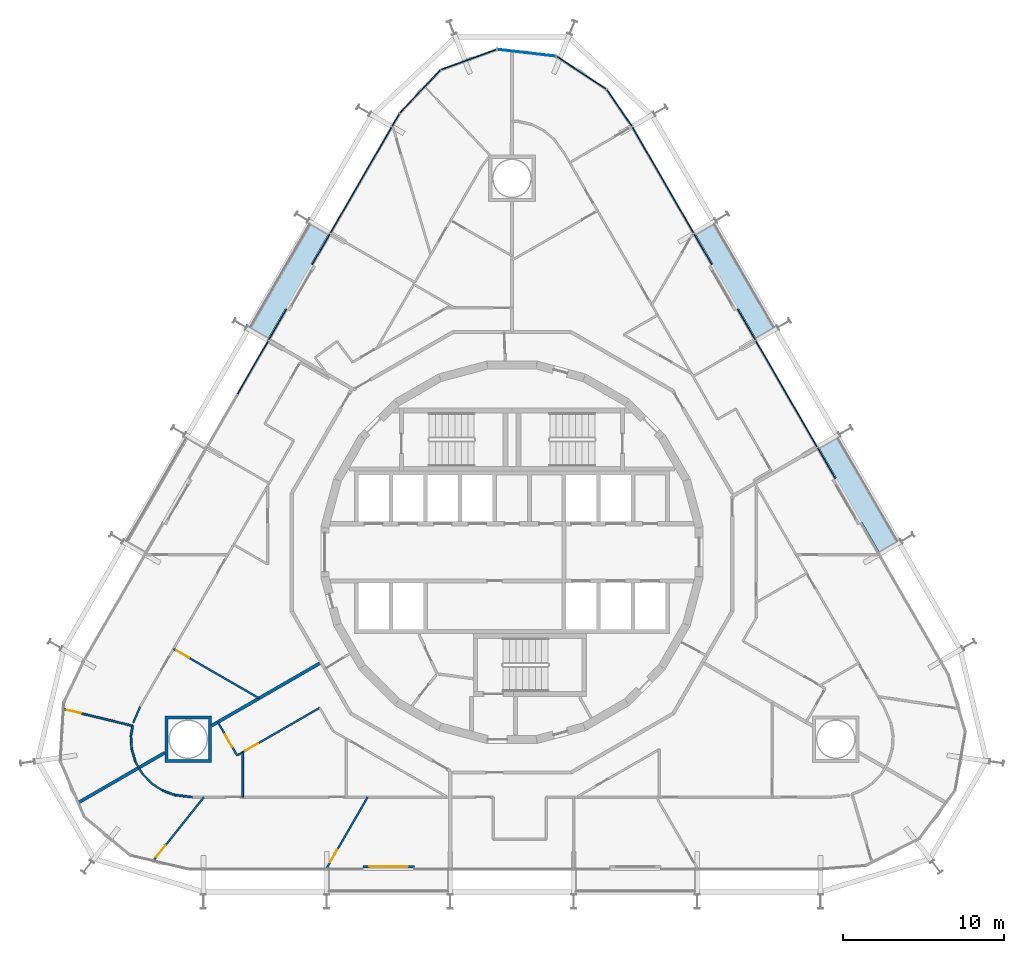
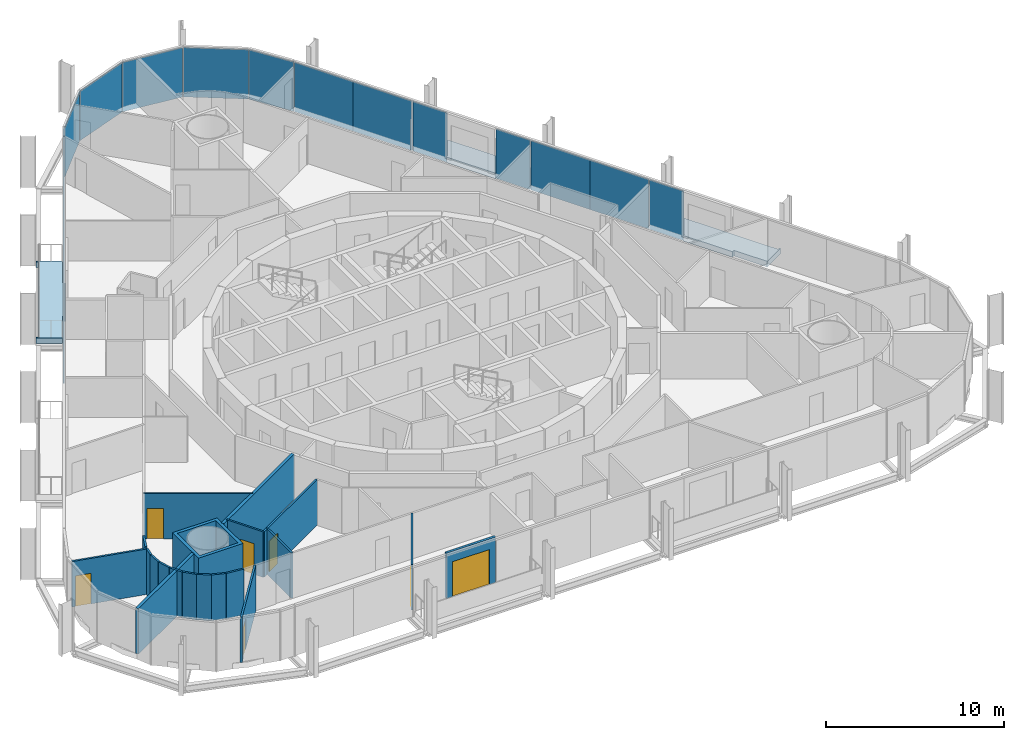
# One storey, part 12 of 19: 20 walls, 18 plates, 7 doors, 3 slabs, 7 openings, 3 elements without a shape of their own.
"""IFC4 building model written with IfcOpenShell, lengths in metres."""

from ifc_helpers import new_model, si_unit, direction, frame, frame_2d, origin, origin_2d, place, context, subcontext, project, spatial, polyline, rectangle, outline, extrude, material, layer, layer_set, type_object, element, fill, aggregate, save


model = new_model("IFC4")

# Units and contexts
model_context = context("Model", 3, precision=1e-05, world=origin(), true_north=direction((0.0, 1.0)))
body_context = subcontext(model_context, "Body", "Model", "MODEL_VIEW")
ifc_project = project(units=[si_unit("LENGTHUNIT", "METRE"), si_unit("AREAUNIT", "SQUARE_METRE"), si_unit("VOLUMEUNIT", "CUBIC_METRE"), si_unit("PLANEANGLEUNIT", "RADIAN"), si_unit("MASSUNIT", "GRAM", prefix="KILO")], contexts=[model_context])

# Site, building, storey
site_placement = place(None, origin())
site = spatial("IfcSite", under=ifc_project, at=site_placement, CompositionType="ELEMENT")
building_placement = place(site_placement, origin())
building = spatial("IfcBuilding", under=site, at=building_placement, Name="Spindle Arch Residences", CompositionType="ELEMENT")
storey_placement = place(building_placement, frame((0.0, 0.0, 45.39990234375)))
storey = spatial("IfcBuildingStorey", under=building, at=storey_placement, Name="L09", CompositionType="ELEMENT", Elevation=45.39990234375)

# Slabs
ifc_material_1 = material(Name="Concrete C40/50", Category="concrete")
ifc_layer_1 = layer(ifc_material_1, 0.3798828125)
ifc_layer_set_1 = layer_set([ifc_layer_1], Name="Balcony slab 380")
slab_type = type_object("IfcSlabType", Name="Balcony slab 380", PredefinedType="FLOOR", material=ifc_layer_set_1)
slab_1_placement = place(storey_placement, frame((0.0, 0.0, -0.3798828125)))
element("IfcSlab", 1, at=slab_1_placement, inside=storey, type_object=slab_type, Name="Balcony L09 bay 7", PredefinedType="FLOOR", context=body_context, shape_type="SweptSolid", body=[
    extrude(outline(polyline([(24.151611328125, 0.728271484375), (24.114013671875, 0.793212890625), (23.984130859375, 0.71826171875), (20.2939453125, 7.109375), (20.424072265625, 7.1845703125), (20.386474609375, 7.24951171875), (19.09619140625, 6.50439453125), (20.1787109375, 4.62939453125), (20.0400390625, 4.549560546875), (21.64013671875, 1.778076171875), (21.778564453125, 1.858154296875), (22.861083984375, -0.016845703125), (24.151611328125, 0.728271484375)])), origin(), (0.0, 0.0, 1.0), 0.3798828125),
])
slab_2_placement = place(storey_placement, frame((0.0, 0.0, -0.3798828125)))
element("IfcSlab", 2, at=slab_2_placement, inside=storey, type_object=slab_type, Name="Balcony L09 bay 9", PredefinedType="FLOOR", context=body_context, shape_type="SweptSolid", body=[
    extrude(outline(polyline([(16.471435546875, 14.030517578125), (16.433837890625, 14.095458984375), (16.303955078125, 14.0205078125), (12.614013671875, 20.411865234375), (12.743896484375, 20.48681640625), (12.706298828125, 20.5517578125), (11.416015625, 19.806640625), (12.49853515625, 17.931640625), (12.35986328125, 17.851806640625), (13.9599609375, 15.08056640625), (14.0986328125, 15.160400390625), (15.18115234375, 13.285400390625), (16.471435546875, 14.030517578125)])), origin(), (0.0, 0.0, 1.0), 0.3798828125),
])
slab_3_placement = place(storey_placement, frame((0.0, 0.0, -0.3798828125)))
element("IfcSlab", 3, at=slab_3_placement, inside=storey, type_object=slab_type, Name="Balcony L09 bay 15", PredefinedType="FLOOR", context=body_context, shape_type="SweptSolid", body=[
    extrude(outline(polyline([(-12.706298828125, 20.5517578125), (-12.743896484375, 20.48681640625), (-12.614013671875, 20.411865234375), (-16.303955078125, 14.0205078125), (-16.433837890625, 14.095458984375), (-16.471435546875, 14.030517578125), (-15.18115234375, 13.285400390625), (-14.0986328125, 15.160400390625), (-13.9599609375, 15.08056640625), (-12.35986328125, 17.851806640625), (-12.49853515625, 17.931640625), (-11.416015625, 19.806640625), (-12.706298828125, 20.5517578125)])), origin(), (0.0, 0.0, 1.0), 0.3798828125),
])

# Curtain wall, plates
ifc_material_2 = material(Name="Aluminium bronze unitised frame with tinted glass", Category="aluminium")
ifc_layer_2 = layer(ifc_material_2, 0.159912109375)
ifc_layer_set_2 = layer_set([ifc_layer_2], Name="CW-C typical residential unitised wall")
curtain_wall_type_1 = type_object("IfcCurtainWallType", Name="CW-C typical residential unitised wall", PredefinedType="NOTDEFINED", material=ifc_layer_set_2)
curtain_wall_1_placement = place(storey_placement, origin())
curtain_wall_1 = element("IfcCurtainWall", 4, at=curtain_wall_1_placement, inside=storey, type_object=curtain_wall_type_1, Name="CW-C L09 run 2", PredefinedType="NOTDEFINED")
ifc_material_3 = material(Name="Tinted double glazing over aluminium faced non-combustible spandrel zone (K0)", Category="aluminium")
ifc_layer_3 = layer(ifc_material_3, 0.06005859375)
ifc_layer_set_3 = layer_set([ifc_layer_3], Name="Unitised glass panel with E 60 spandrel zone")
plate_type = type_object("IfcPlateType", Name="Unitised glass panel with E 60 spandrel zone", PredefinedType="CURTAIN_PANEL", material=ifc_layer_set_3)
plate_1_placement = place(storey_placement, frame((19.556884765625, 5.54638671875, -0.3798828125), z_axis=(0.0, 0.0, 1.0), x_axis=(-0.5, 0.866025403784, 0.0)))
plate_1 = element("IfcPlate", 5, at=plate_1_placement, type_object=plate_type, Name="CW-C unit 06R", PredefinedType="CURTAIN_PANEL", context=body_context, shape_type="SweptSolid", body=[
    extrude(rectangle(XDim=2.2099609375, YDim=0.06005859375, at=origin_2d()), origin(), (0.0, 0.0, 1.0), 3.3798828125),
])
plate_2_placement = place(storey_placement, frame((18.021728515625, 8.205078125, -0.3798828125), z_axis=(0.0, 0.0, 1.0), x_axis=(-0.5, 0.866025403784, 0.0)))
plate_2 = element("IfcPlate", 6, at=plate_2_placement, type_object=plate_type, Name="CW-C unit 07A", PredefinedType="CURTAIN_PANEL", context=body_context, shape_type="SweptSolid", body=[
    extrude(rectangle(XDim=3.81005859375, YDim=0.06005859375, at=origin_2d()), origin(), (0.0, 0.0, 1.0), 3.3798828125),
])
plate_3_placement = place(storey_placement, frame((16.11669921875, 11.504638671875, -0.3798828125), z_axis=(0.0, 0.0, 1.0), x_axis=(-0.5, 0.866025403784, 0.0)))
plate_3 = element("IfcPlate", 7, at=plate_3_placement, type_object=plate_type, Name="CW-C unit 07B", PredefinedType="CURTAIN_PANEL", context=body_context, shape_type="SweptSolid", body=[
    extrude(rectangle(XDim=3.81005859375, YDim=0.06005859375, at=origin_2d()), origin(), (0.0, 0.0, 1.0), 3.3798828125),
])
plate_4_placement = place(storey_placement, frame((14.581787109375, 14.16357421875, -0.3798828125), z_axis=(0.0, 0.0, 1.0), x_axis=(-0.5, 0.866025403784, 0.0)))
plate_4 = element("IfcPlate", 8, at=plate_4_placement, type_object=plate_type, Name="CW-C unit 08L", PredefinedType="CURTAIN_PANEL", context=body_context, shape_type="SweptSolid", body=[
    extrude(rectangle(XDim=2.2099609375, YDim=0.06005859375, at=origin_2d()), origin(), (0.0, 0.0, 1.0), 3.3798828125),
])
plate_5_placement = place(storey_placement, frame((11.876708984375, 18.8486328125, -0.3798828125), z_axis=(0.0, 0.0, 1.0), x_axis=(-0.5, 0.866025403784, 0.0)))
plate_5 = element("IfcPlate", 9, at=plate_5_placement, type_object=plate_type, Name="CW-C unit 08R", PredefinedType="CURTAIN_PANEL", context=body_context, shape_type="SweptSolid", body=[
    extrude(rectangle(XDim=2.2099609375, YDim=0.06005859375, at=origin_2d()), origin(), (0.0, 0.0, 1.0), 3.3798828125),
])
plate_6_placement = place(storey_placement, frame((10.341796875, 21.50732421875, -0.3798828125), z_axis=(0.0, 0.0, 1.0), x_axis=(-0.5, 0.866025403784, 0.0)))
plate_6 = element("IfcPlate", 10, at=plate_6_placement, type_object=plate_type, Name="CW-C unit 09A", PredefinedType="CURTAIN_PANEL", context=body_context, shape_type="SweptSolid", body=[
    extrude(rectangle(XDim=3.81005859375, YDim=0.06005859375, at=origin_2d()), origin(), (0.0, 0.0, 1.0), 3.3798828125),
])
plate_7_placement = place(storey_placement, frame((8.436767578125, 24.80712890625, -0.3798828125), z_axis=(0.0, 0.0, 1.0), x_axis=(-0.5, 0.866025403784, 0.0)))
plate_7 = element("IfcPlate", 11, at=plate_7_placement, type_object=plate_type, Name="CW-C unit 09B", PredefinedType="CURTAIN_PANEL", context=body_context, shape_type="SweptSolid", body=[
    extrude(rectangle(XDim=3.81005859375, YDim=0.06005859375, at=origin_2d()), origin(), (0.0, 0.0, 1.0), 3.3798828125),
])
aggregate(curtain_wall_1, [plate_1, plate_2, plate_3, plate_4, plate_5, plate_6, plate_7])

ifc_material_4 = material(Name="Aluminium bronze unitised frame with tinted glass", Category="aluminium")
ifc_layer_4 = layer(ifc_material_4, 0.159912109375)
ifc_layer_set_4 = layer_set([ifc_layer_4], Name="CW-D corner wall on the fillet arcs")
curtain_wall_type_2 = type_object("IfcCurtainWallType", Name="CW-D corner wall on the fillet arcs", PredefinedType="NOTDEFINED", material=ifc_layer_set_4)
curtain_wall_2_placement = place(storey_placement, origin())
curtain_wall_2 = element("IfcCurtainWall", 12, at=curtain_wall_2_placement, inside=storey, type_object=curtain_wall_type_2, Name="CW-D L09 run 3", PredefinedType="NOTDEFINED")
plate_8_placement = place(storey_placement, frame((6.673095703125, 27.643798828125, -0.3798828125), z_axis=(0.0, 0.0, 1.0), x_axis=(-0.565500718711, 0.824747802142, 0.0)))
plate_8 = element("IfcPlate", 13, at=plate_8_placement, type_object=plate_type, Name="CW-D unit 00", PredefinedType="CURTAIN_PANEL", context=body_context, shape_type="SweptSolid", body=[
    extrude(rectangle(XDim=2.755126953125, YDim=0.06005859375, at=origin_2d()), origin(), (0.0, 0.0, 1.0), 3.3798828125),
])
plate_9_placement = place(storey_placement, frame((4.3203125, 29.82861328125, -0.3798828125), z_axis=(0.0, 0.0, 1.0), x_axis=(-0.835487811704, 0.549508977628, 0.0)))
plate_9 = element("IfcPlate", 14, at=plate_9_placement, type_object=plate_type, Name="CW-D unit 01", PredefinedType="CURTAIN_PANEL", context=body_context, shape_type="SweptSolid", body=[
    extrude(rectangle(XDim=3.666748046875, YDim=0.06005859375, at=origin_2d()), origin(), (0.0, 0.0, 1.0), 3.3798828125),
])
plate_10_placement = place(storey_placement, frame((0.912841796875, 31.06884765625, -0.3798828125), z_axis=(0.0, 0.0, 1.0), x_axis=(-0.993238357591, 0.116092915414, 0.0)))
plate_10 = element("IfcPlate", 15, at=plate_10_placement, type_object=plate_type, Name="CW-D unit 02", PredefinedType="CURTAIN_PANEL", context=body_context, shape_type="SweptSolid", body=[
    extrude(rectangle(XDim=3.666748046875, YDim=0.06005859375, at=origin_2d()), origin(), (0.0, 0.0, 1.0), 3.3798828125),
])
plate_11_placement = place(storey_placement, frame((-2.68896484375, 30.64794921875, -0.3798828125), z_axis=(0.0, 0.0, 1.0), x_axis=(-0.939692621437, -0.342020141538, 0.0)))
plate_11 = element("IfcPlate", 16, at=plate_11_placement, type_object=plate_type, Name="CW-D unit 03", PredefinedType="CURTAIN_PANEL", context=body_context, shape_type="SweptSolid", body=[
    extrude(rectangle(XDim=3.666748046875, YDim=0.06005859375, at=origin_2d()), origin(), (0.0, 0.0, 1.0), 3.3798828125),
])
plate_12_placement = place(storey_placement, frame((-5.71875, 28.6552734375, -0.3798828125), z_axis=(0.0, 0.0, 1.0), x_axis=(-0.686241639236, -0.727373640284, 0.0)))
plate_12 = element("IfcPlate", 17, at=plate_12_placement, type_object=plate_type, Name="CW-D unit 04", PredefinedType="CURTAIN_PANEL", context=body_context, shape_type="SweptSolid", body=[
    extrude(rectangle(XDim=3.666748046875, YDim=0.06005859375, at=origin_2d()), origin(), (0.0, 0.0, 1.0), 3.3798828125),
])
plate_13_placement = place(storey_placement, frame((-7.2333984375, 26.891357421875, -0.3798828125), z_axis=(0.0, 0.0, 1.0), x_axis=(-0.5, -0.866025403784, 0.0)))
plate_13 = element("IfcPlate", 18, at=plate_13_placement, type_object=plate_type, Name="CW-D unit 05", PredefinedType="CURTAIN_PANEL", context=body_context, shape_type="SweptSolid", body=[
    extrude(rectangle(XDim=0.88330078125, YDim=0.06005859375, at=origin_2d()), origin(), (0.0, 0.0, 1.0), 3.3798828125),
])
aggregate(curtain_wall_2, [plate_8, plate_9, plate_10, plate_11, plate_12, plate_13])

curtain_wall_3_placement = place(storey_placement, origin())
curtain_wall_3 = element("IfcCurtainWall", 19, at=curtain_wall_3_placement, inside=storey, type_object=curtain_wall_type_1, Name="CW-C L09 run 4", PredefinedType="NOTDEFINED")
plate_14_placement = place(storey_placement, frame((-8.436767578125, 24.80712890625, -0.3798828125), z_axis=(0.0, 0.0, 1.0), x_axis=(-0.5, -0.866025403784, 0.0)))
plate_14 = element("IfcPlate", 20, at=plate_14_placement, type_object=plate_type, Name="CW-C unit 13A", PredefinedType="CURTAIN_PANEL", context=body_context, shape_type="SweptSolid", body=[
    extrude(rectangle(XDim=3.81005859375, YDim=0.06005859375, at=origin_2d()), origin(), (0.0, 0.0, 1.0), 3.3798828125),
])
plate_15_placement = place(storey_placement, frame((-10.341796875, 21.50732421875, -0.3798828125), z_axis=(0.0, 0.0, 1.0), x_axis=(-0.5, -0.866025403784, 0.0)))
plate_15 = element("IfcPlate", 21, at=plate_15_placement, type_object=plate_type, Name="CW-C unit 13B", PredefinedType="CURTAIN_PANEL", context=body_context, shape_type="SweptSolid", body=[
    extrude(rectangle(XDim=3.81005859375, YDim=0.06005859375, at=origin_2d()), origin(), (0.0, 0.0, 1.0), 3.3798828125),
])
plate_16_placement = place(storey_placement, frame((-11.876708984375, 18.8486328125, -0.3798828125), z_axis=(0.0, 0.0, 1.0), x_axis=(-0.5, -0.866025403784, 0.0)))
plate_16 = element("IfcPlate", 22, at=plate_16_placement, type_object=plate_type, Name="CW-C unit 14L", PredefinedType="CURTAIN_PANEL", context=body_context, shape_type="SweptSolid", body=[
    extrude(rectangle(XDim=2.2099609375, YDim=0.06005859375, at=origin_2d()), origin(), (0.0, 0.0, 1.0), 3.3798828125),
])
plate_17_placement = place(storey_placement, frame((-14.581787109375, 14.16357421875, -0.3798828125), z_axis=(0.0, 0.0, 1.0), x_axis=(-0.5, -0.866025403784, 0.0)))
plate_17 = element("IfcPlate", 23, at=plate_17_placement, type_object=plate_type, Name="CW-C unit 14R", PredefinedType="CURTAIN_PANEL", context=body_context, shape_type="SweptSolid", body=[
    extrude(rectangle(XDim=2.2099609375, YDim=0.06005859375, at=origin_2d()), origin(), (0.0, 0.0, 1.0), 3.3798828125),
])
plate_18_placement = place(storey_placement, frame((-16.11669921875, 11.504638671875, -0.3798828125), z_axis=(0.0, 0.0, 1.0), x_axis=(-0.5, -0.866025403784, 0.0)))
plate_18 = element("IfcPlate", 24, at=plate_18_placement, type_object=plate_type, Name="CW-C unit 15A", PredefinedType="CURTAIN_PANEL", context=body_context, shape_type="SweptSolid", body=[
    extrude(rectangle(XDim=3.81005859375, YDim=0.06005859375, at=origin_2d()), origin(), (0.0, 0.0, 1.0), 3.3798828125),
])
aggregate(curtain_wall_3, [plate_14, plate_15, plate_16, plate_17, plate_18])

# Wall, opening, door
ifc_material_5 = material(Name="Plasterboard on steel studs", Category="steel")
ifc_layer_5 = layer(ifc_material_5, 0.1201171875)
ifc_layer_set_5 = layer_set([ifc_layer_5], Name="Flat partition 120")
wall_type_1 = type_object("IfcWallType", Name="Flat partition 120", PredefinedType="PARTITIONING", material=ifc_layer_set_5)
wall_1_placement = place(storey_placement, frame((-21.05517578125, -6.0087890625, 0.0), z_axis=(0.0, 0.0, 1.0), x_axis=(0.866030172657, -0.49999173998, 0.0)))
wall_1 = element("IfcWall", 25, at=wall_1_placement, inside=storey, type_object=wall_type_1, Name="Flat partition R1A0-W063", PredefinedType="PARTITIONING", context=body_context, shape_type="SweptSolid", body=[
    extrude(rectangle(XDim=6.1474609375, YDim=0.1201171875, at=frame_2d((3.07373046875, 0.0))), origin(), (0.0, 0.0, 1.0), 3.1201171875),
])
opening_1_placement = place(wall_1_placement, frame((0.199951171875, 0.0, 0.0)))
opening_1 = element("IfcOpeningElement", 26, at=opening_1_placement, cuts=wall_1, Name="Opening R1A0-ID14", PredefinedType="OPENING", context=body_context, shape_type="SweptSolid", body=[
    extrude(rectangle(XDim=0.89990234375, YDim=2.10009765625, at=frame_2d((0.449951171875, 1.050048828125))), frame((0.0, 0.070068359375, 0.0), z_axis=(0.0, -1.0, 0.0), x_axis=(1.0, 0.0, 0.0)), (0.0, 0.0, 1.0), 0.14013671875),
])
ifc_material_6 = material(Name="Timber door set", Category="wood")
door_type_1 = type_object("IfcDoorType", Name="Room door 900x2100", OperationType="NOTDEFINED", PredefinedType="DOOR", material=ifc_material_6)
door_1_placement = place(opening_1_placement, origin())
door_1 = element("IfcDoor", 27, at=door_1_placement, inside=storey, type_object=door_type_1, Name="Room door R1A0-ID14", OperationType="SINGLE_SWING_RIGHT", OverallHeight=2.10009765625, OverallWidth=0.89990234375, PredefinedType="DOOR", context=body_context, shape_type="SweptSolid", body=[
    extrude(rectangle(XDim=0.89990234375, YDim=2.10009765625, at=frame_2d((0.449951171875, 1.050048828125))), frame((0.0, 0.02490234375, 0.0), z_axis=(0.0, -1.0, 0.0), x_axis=(1.0, 0.0, 0.0)), (0.0, 0.0, 1.0), 0.050048828125),
])
fill(opening_1, door_1)

# Wall
wall_2_placement = place(storey_placement, frame((-23.563720703125, -10.60595703125, 0.0), z_axis=(0.0, 0.0, 1.0), x_axis=(0.396195073027, 0.918166359713, 0.0)))
element("IfcWall", 28, at=wall_2_placement, inside=storey, type_object=wall_type_1, Name="Flat partition R1A0-W066", PredefinedType="PARTITIONING", context=body_context, shape_type="SweptSolid", body=[
    extrude(rectangle(XDim=1.0869140625, YDim=0.1201171875, at=frame_2d((0.54345703125, 0.0))), origin(), (0.0, 0.0, 1.0), 3.1201171875),
])

# Wall, opening, door
wall_3_placement = place(storey_placement, frame((-27.8828125, -9.76220703125, 0.0), z_axis=(0.0, 0.0, 1.0), x_axis=(0.972097015458, -0.234579181809, 0.0)))
wall_3 = element("IfcWall", 29, at=wall_3_placement, inside=storey, type_object=wall_type_1, Name="Flat partition R1A0-W067", PredefinedType="PARTITIONING", context=body_context, shape_type="SweptSolid", body=[
    extrude(rectangle(XDim=4.40869140625, YDim=0.1201171875, at=frame_2d((2.204345703125, 0.0))), origin(), (0.0, 0.0, 1.0), 3.1201171875),
])
opening_2_placement = place(wall_3_placement, frame((0.199951171875, 0.0, 0.0)))
opening_2 = element("IfcOpeningElement", 30, at=opening_2_placement, cuts=wall_3, Name="Opening R1A0-ID16", PredefinedType="OPENING", context=body_context, shape_type="SweptSolid", body=[
    extrude(rectangle(XDim=0.89990234375, YDim=2.10009765625, at=frame_2d((0.449951171875, 1.050048828125))), frame((0.0, 0.070068359375, 0.0), z_axis=(0.0, -1.0, 0.0), x_axis=(1.0, 0.0, 0.0)), (0.0, 0.0, 1.0), 0.14013671875),
])
door_2_placement = place(opening_2_placement, origin())
door_2 = element("IfcDoor", 31, at=door_2_placement, inside=storey, type_object=door_type_1, Name="Room door R1A0-ID16", OperationType="SINGLE_SWING_RIGHT", OverallHeight=2.10009765625, OverallWidth=0.89990234375, PredefinedType="DOOR", context=body_context, shape_type="SweptSolid", body=[
    extrude(rectangle(XDim=0.89990234375, YDim=2.10009765625, at=frame_2d((0.449951171875, 1.050048828125))), frame((0.0, 0.02490234375, 0.0), z_axis=(0.0, -1.0, 0.0), x_axis=(1.0, 0.0, 0.0)), (0.0, 0.0, 1.0), 0.050048828125),
])
fill(opening_2, door_2)

# Walls
wall_4_placement = place(storey_placement, frame((-23.59716796875, -10.79638671875, 0.0), z_axis=(0.0, 0.0, 1.0), x_axis=(-0.173610040386, -0.984814476882, 0.0)))
element("IfcWall", 32, at=wall_4_placement, inside=storey, type_object=wall_type_1, Name="Flat partition R1A0-W068", PredefinedType="PARTITIONING", context=body_context, shape_type="SweptSolid", body=[
    extrude(rectangle(XDim=0.6357421875, YDim=0.1201171875, at=frame_2d((0.31787109375, 0.0))), origin(), (0.0, 0.0, 1.0), 3.1201171875),
])
wall_5_placement = place(storey_placement, frame((-23.70751953125, -11.42236328125, 0.0), z_axis=(0.0, 0.0, 1.0), x_axis=(0.058031280246, -0.998314765248, 0.0)))
element("IfcWall", 33, at=wall_5_placement, inside=storey, type_object=wall_type_1, Name="Flat partition R1A0-W069", PredefinedType="PARTITIONING", context=body_context, shape_type="SweptSolid", body=[
    extrude(rectangle(XDim=0.828857421875, YDim=0.1201171875, at=frame_2d((0.41455078125, 0.0))), origin(), (0.0, 0.0, 1.0), 3.1201171875),
])
for number, where, z_axis, x_axis, name in (
    (34, (-23.659423828125, -12.249755859375, 0.0), (0.0, 0.0, 1.0), (0.286834510868, -0.957980147694, 0.0), "Flat partition R1A0-W070"),
    (35, (-23.421630859375, -13.0439453125, 0.0), (0.0, 0.0, 1.0), (0.500002839747, -0.86602376425, 0.0), "Flat partition R1A0-W071"),
):
    element("IfcWall", number, at=place(storey_placement, frame(where, z_axis=z_axis, x_axis=x_axis)), inside=storey, type_object=wall_type_1, Name=name, PredefinedType="PARTITIONING", context=body_context, shape_type="SweptSolid", body=[
        extrude(rectangle(XDim=0.8291015625, YDim=0.1201171875, at=frame_2d((0.41455078125, 0.0))), origin(), (0.0, 0.0, 1.0), 3.1201171875),
    ])

# Wall, opening, door
wall_6_placement = place(storey_placement, frame((-18.297607421875, -10.564208984375, 0.0), z_axis=(0.0, 0.0, 1.0), x_axis=(0.500048565365, -0.865997362742, 0.0)))
wall_6 = element("IfcWall", 36, at=wall_6_placement, inside=storey, type_object=wall_type_1, Name="Flat partition R1A0-W072", PredefinedType="PARTITIONING", context=body_context, shape_type="SweptSolid", body=[
    extrude(rectangle(XDim=2.397705078125, YDim=0.1201171875, at=frame_2d((1.19873046875, 0.0))), origin(), (0.0, 0.0, 1.0), 3.1201171875),
])
opening_3_placement = place(wall_6_placement, frame((0.89990234375, 0.0, 0.0)))
opening_3 = element("IfcOpeningElement", 37, at=opening_3_placement, cuts=wall_6, Name="Opening R1A0-ID18", PredefinedType="OPENING", context=body_context, shape_type="SweptSolid", body=[
    extrude(rectangle(XDim=0.89990234375, YDim=2.10009765625, at=frame_2d((0.449951171875, 1.050048828125))), frame((0.0, 0.070068359375, 0.0), z_axis=(0.0, -1.0, 0.0), x_axis=(1.0, 0.0, 0.0)), (0.0, 0.0, 1.0), 0.14013671875),
])
door_3_placement = place(opening_3_placement, origin())
door_3 = element("IfcDoor", 38, at=door_3_placement, inside=storey, type_object=door_type_1, Name="Room door R1A0-ID18", OperationType="SINGLE_SWING_LEFT", OverallHeight=2.10009765625, OverallWidth=0.89990234375, PredefinedType="DOOR", context=body_context, shape_type="SweptSolid", body=[
    extrude(rectangle(XDim=0.89990234375, YDim=2.10009765625, at=frame_2d((0.449951171875, 1.050048828125))), frame((0.0, 0.02490234375, 0.0), z_axis=(0.0, -1.0, 0.0), x_axis=(1.0, 0.0, 0.0)), (0.0, 0.0, 1.0), 0.050048828125),
])
fill(opening_3, door_3)

wall_7_placement = place(storey_placement, frame((-17.0986328125, -12.640625, 0.0), z_axis=(0.0, 0.0, 1.0), x_axis=(0.866027165828, 0.499996948039, 0.0)))
wall_7 = element("IfcWall", 39, at=wall_7_placement, inside=storey, type_object=wall_type_1, Name="Flat partition R1A0-W073", PredefinedType="PARTITIONING", context=body_context, shape_type="SweptSolid", body=[
    extrude(rectangle(XDim=5.92822265625, YDim=0.1201171875, at=frame_2d((2.964111328125, 0.0))), origin(), (0.0, 0.0, 1.0), 3.1201171875),
])
opening_4_placement = place(wall_7_placement, frame((0.59521484375, 0.0, 0.0)))
opening_4 = element("IfcOpeningElement", 40, at=opening_4_placement, cuts=wall_7, Name="Opening R1A0-ID19", PredefinedType="OPENING", context=body_context, shape_type="SweptSolid", body=[
    extrude(rectangle(XDim=0.89990234375, YDim=2.10009765625, at=frame_2d((0.449951171875, 1.050048828125))), frame((0.0, 0.070068359375, 0.0), z_axis=(0.0, -1.0, 0.0), x_axis=(1.0, 0.0, 0.0)), (0.0, 0.0, 1.0), 0.14013671875),
])
door_4_placement = place(opening_4_placement, origin())
door_4 = element("IfcDoor", 41, at=door_4_placement, inside=storey, type_object=door_type_1, Name="Room door R1A0-ID19", OperationType="SINGLE_SWING_LEFT", OverallHeight=2.10009765625, OverallWidth=0.89990234375, PredefinedType="DOOR", context=body_context, shape_type="SweptSolid", body=[
    extrude(rectangle(XDim=0.89990234375, YDim=2.10009765625, at=frame_2d((0.449951171875, 1.050048828125))), frame((0.0, 0.02490234375, 0.0), z_axis=(0.0, -1.0, 0.0), x_axis=(1.0, 0.0, 0.0)), (0.0, 0.0, 1.0), 0.050048828125),
])
fill(opening_4, door_4)

# Walls
wall_8_placement = place(storey_placement, frame((-19.887451171875, -15.22998046875, 0.0), z_axis=(0.0, 0.0, 1.0), x_axis=(-0.993231641151, 0.116150363826, 0.0)))
element("IfcWall", 42, at=wall_8_placement, inside=storey, type_object=wall_type_1, Name="Flat partition R1A0-W077", PredefinedType="PARTITIONING", context=body_context, shape_type="SweptSolid", body=[
    extrude(rectangle(XDim=1.086669921875, YDim=0.1201171875, at=frame_2d((0.54345703125, 0.0))), origin(), (0.0, 0.0, 1.0), 3.1201171875),
])
for number, where, z_axis, x_axis, name in (
    (43, (-20.966796875, -15.103759765625, 0.0), (0.0, 0.0, 1.0), (-0.939733220174, 0.341908576817, 0.0), "Flat partition R1A0-W078"),
    (44, (-21.745849609375, -14.8203125, 0.0), (0.0, 0.0, 1.0), (-0.835477570013, 0.549524549046, 0.0), "Flat partition R1A0-W079"),
):
    element("IfcWall", number, at=place(storey_placement, frame(where, z_axis=z_axis, x_axis=x_axis)), inside=storey, type_object=wall_type_1, Name=name, PredefinedType="PARTITIONING", context=body_context, shape_type="SweptSolid", body=[
        extrude(rectangle(XDim=0.8291015625, YDim=0.1201171875, at=frame_2d((0.41455078125, 0.0))), origin(), (0.0, 0.0, 1.0), 3.1201171875),
    ])
wall_9_placement = place(storey_placement, frame((-22.4384765625, -14.36474609375, 0.0), z_axis=(0.0, 0.0, 1.0), x_axis=(-0.686182189596, 0.727429723535, 0.0)))
element("IfcWall", 45, at=wall_9_placement, inside=storey, type_object=wall_type_1, Name="Flat partition R1A0-W080", PredefinedType="PARTITIONING", context=body_context, shape_type="SweptSolid", body=[
    extrude(rectangle(XDim=0.82861328125, YDim=0.1201171875, at=frame_2d((0.414306640625, 0.0))), origin(), (0.0, 0.0, 1.0), 3.1201171875),
])

# Wall, opening, door
wall_10_placement = place(storey_placement, frame((-22.38134765625, -19.271240234375, 0.0), z_axis=(0.0, 0.0, 1.0), x_axis=(0.623126488551, 0.782121077114, 0.0)))
wall_10 = element("IfcWall", 46, at=wall_10_placement, inside=storey, type_object=wall_type_1, Name="Flat partition R1A0-W081", PredefinedType="PARTITIONING", context=body_context, shape_type="SweptSolid", body=[
    extrude(rectangle(XDim=5.1669921875, YDim=0.1201171875, at=frame_2d((2.58349609375, 0.0))), origin(), (0.0, 0.0, 1.0), 3.1201171875),
])
opening_5_placement = place(wall_10_placement, frame((0.39990234375, 0.0, 0.0)))
opening_5 = element("IfcOpeningElement", 47, at=opening_5_placement, cuts=wall_10, Name="Opening R1A0-ID21", PredefinedType="OPENING", context=body_context, shape_type="SweptSolid", body=[
    extrude(rectangle(XDim=0.89990234375, YDim=2.10009765625, at=frame_2d((0.449951171875, 1.050048828125))), frame((0.0, 0.070068359375, 0.0), z_axis=(0.0, -1.0, 0.0), x_axis=(1.0, 0.0, 0.0)), (0.0, 0.0, 1.0), 0.14013671875),
])
door_5_placement = place(opening_5_placement, origin())
door_5 = element("IfcDoor", 48, at=door_5_placement, inside=storey, type_object=door_type_1, Name="Room door R1A0-ID21", OperationType="SINGLE_SWING_LEFT", OverallHeight=2.10009765625, OverallWidth=0.89990234375, PredefinedType="DOOR", context=body_context, shape_type="SweptSolid", body=[
    extrude(rectangle(XDim=0.89990234375, YDim=2.10009765625, at=frame_2d((0.449951171875, 1.050048828125))), frame((0.0, 0.02490234375, 0.0), z_axis=(0.0, -1.0, 0.0), x_axis=(1.0, 0.0, 0.0)), (0.0, 0.0, 1.0), 0.050048828125),
])
fill(opening_5, door_5)

# Wall
wall_11_placement = place(storey_placement, frame((-16.75634765625, -15.22998046875, 0.0), z_axis=(0.0, 0.0, 1.0), x_axis=(0.0, 1.0, 0.0)))
element("IfcWall", 49, at=wall_11_placement, inside=storey, type_object=wall_type_1, Name="Flat partition R1A0-W082", PredefinedType="PARTITIONING", context=body_context, shape_type="SweptSolid", body=[
    extrude(rectangle(XDim=2.786865234375, YDim=0.1201171875, at=frame_2d((1.3935546875, 0.0))), origin(), (0.0, 0.0, 1.0), 3.1201171875),
])

# Wall, opening, door
wall_12_placement = place(storey_placement, frame((-11.52001953125, -19.6298828125, 0.0), z_axis=(0.0, 0.0, 1.0), x_axis=(0.499999763888, 0.866025540104, 0.0)))
wall_12 = element("IfcWall", 50, at=wall_12_placement, inside=storey, type_object=wall_type_1, Name="Flat partition R1A0-W084", PredefinedType="PARTITIONING", context=body_context, shape_type="SweptSolid", body=[
    extrude(rectangle(XDim=5.08056640625, YDim=0.1201171875, at=frame_2d((2.540283203125, 0.0))), origin(), (0.0, 0.0, 1.0), 3.1201171875),
])
opening_6_placement = place(wall_12_placement, frame((0.39990234375, 0.0, 0.0)))
opening_6 = element("IfcOpeningElement", 51, at=opening_6_placement, cuts=wall_12, Name="Opening R1A0-ID22", PredefinedType="OPENING", context=body_context, shape_type="SweptSolid", body=[
    extrude(rectangle(XDim=0.89990234375, YDim=2.10009765625, at=frame_2d((0.449951171875, 1.050048828125))), frame((0.0, 0.070068359375, 0.0), z_axis=(0.0, -1.0, 0.0), x_axis=(1.0, 0.0, 0.0)), (0.0, 0.0, 1.0), 0.14013671875),
])
door_6_placement = place(opening_6_placement, origin())
door_6 = element("IfcDoor", 52, at=door_6_placement, inside=storey, type_object=door_type_1, Name="Room door R1A0-ID22", OperationType="SINGLE_SWING_RIGHT", OverallHeight=2.10009765625, OverallWidth=0.89990234375, PredefinedType="DOOR", context=body_context, shape_type="SweptSolid", body=[
    extrude(rectangle(XDim=0.89990234375, YDim=2.10009765625, at=frame_2d((0.449951171875, 1.050048828125))), frame((0.0, 0.02490234375, 0.0), z_axis=(0.0, -1.0, 0.0), x_axis=(1.0, 0.0, 0.0)), (0.0, 0.0, 1.0), 0.050048828125),
])
fill(opening_6, door_6)

# Walls
ifc_material_7 = material(Name="Calcium silicate block, plastered")
ifc_layer_6 = layer(ifc_material_7, 0.199951171875)
ifc_layer_set_6 = layer_set([ifc_layer_6], Name="Flat party wall 200")
wall_type_2 = type_object("IfcWallType", Name="Flat party wall 200", PredefinedType="STANDARD", material=ifc_layer_set_6)
wall_13_placement = place(storey_placement, frame((-18.693603515625, -10.792724609375, 0.0), z_axis=(0.0, 0.0, 1.0), x_axis=(0.86603400694, 0.499985098601, 0.0)))
element("IfcWall", 53, at=wall_13_placement, inside=storey, type_object=wall_type_2, Name="Flat party wall R1A0-W022", PredefinedType="STANDARD", context=body_context, shape_type="SweptSolid", body=[
    extrude(rectangle(XDim=7.885498046875, YDim=0.199951171875, at=frame_2d((3.94287109375, 0.0))), origin(), (0.0, 0.0, 1.0), 3.1201171875),
])
wall_14_placement = place(storey_placement, frame((-27.02490234375, -15.602783203125, 0.0), z_axis=(0.0, 0.0, 1.0), x_axis=(0.866030653443, 0.499990907215, 0.0)))
element("IfcWall", 54, at=wall_14_placement, inside=storey, type_object=wall_type_2, Name="Flat party wall R1A0-W023", PredefinedType="STANDARD", context=body_context, shape_type="SweptSolid", body=[
    extrude(rectangle(XDim=6.271484375, YDim=0.199951171875, at=frame_2d((3.1357421875, 0.0))), origin(), (0.0, 0.0, 1.0), 3.1201171875),
])

# Wall, opening, door
ifc_material_8 = material(Name="Non-combustible mineral wool insulated aluminium faced external wall (K0)", Category="aluminium")
ifc_layer_7 = layer(ifc_material_8, 0.159912109375)
ifc_layer_set_7 = layer_set([ifc_layer_7], Name="Insulated external wall panel 160")
wall_type_3 = type_object("IfcWallType", Name="Insulated external wall panel 160", PredefinedType="STANDARD", material=ifc_layer_set_7)
wall_15_placement = place(storey_placement, frame((-9.280029296875, -19.5498046875, 0.0), z_axis=(0.0, 0.0, 1.0), x_axis=(1.0, 0.0, 0.0)))
wall_15 = element("IfcWall", 55, at=wall_15_placement, inside=storey, type_object=wall_type_3, Name="External wall L09 bay 23", PredefinedType="STANDARD", context=body_context, shape_type="SweptSolid", body=[
    extrude(rectangle(XDim=3.199951171875, YDim=0.159912109375, at=frame_2d((1.60009765625, 0.0))), origin(), (0.0, 0.0, 1.0), 3.1201171875),
])
opening_7_placement = place(wall_15_placement, frame((0.39990234375, 0.0, 0.0)))
opening_7 = element("IfcOpeningElement", 56, at=opening_7_placement, cuts=wall_15, Name="Opening BD23", PredefinedType="OPENING", context=body_context, shape_type="SweptSolid", body=[
    extrude(rectangle(XDim=2.39990234375, YDim=2.39990234375, at=frame_2d((1.199951171875, 1.199951171875))), frame((0.0, 0.08984375, 0.0), z_axis=(0.0, -1.0, 0.0), x_axis=(1.0, 0.0, 0.0)), (0.0, 0.0, 1.0), 0.179931640625),
])
ifc_material_9 = material(Name="Bronze aluminium frame, tinted double glazing", Category="aluminium")
door_type_2 = type_object("IfcDoorType", Name="Sliding glazed balcony door 2400x2400", OperationType="DOUBLE_DOOR_SLIDING", PredefinedType="DOOR", material=ifc_material_9)
door_7_placement = place(opening_7_placement, origin())
door_7 = element("IfcDoor", 57, at=door_7_placement, inside=storey, type_object=door_type_2, Name="Balcony door BD23", OperationType="DOUBLE_DOOR_SLIDING", OverallHeight=2.39990234375, OverallWidth=2.39990234375, PredefinedType="DOOR", context=body_context, shape_type="SweptSolid", body=[
    extrude(rectangle(XDim=2.39990234375, YDim=2.39990234375, at=frame_2d((1.199951171875, 1.199951171875))), frame((0.0, 0.02490234375, 0.0), z_axis=(0.0, -1.0, 0.0), x_axis=(1.0, 0.0, 0.0)), (0.0, 0.0, 1.0), 0.050048828125),
])
fill(opening_7, door_7)

# Wall
ifc_material_10 = material(Name="Calcium silicate block, plastered")
ifc_layer_8 = layer(ifc_material_10, 0.199951171875)
ifc_layer_set_8 = layer_set([ifc_layer_8], Name="Mega-column casing wall 200")
wall_type_4 = type_object("IfcWallType", Name="Mega-column casing wall 200", PredefinedType="STANDARD", material=ifc_layer_set_8)
wall_16_placement = place(storey_placement, origin())
element("IfcWall", 58, at=wall_16_placement, inside=storey, type_object=wall_type_4, Name="Mega-column casing wall R1A0-WC02", PredefinedType="STANDARD", context=body_context, shape_type="SweptSolid", body=[
    extrude(outline(polyline([(-18.693603515625, -10.179931640625), (-18.693603515625, -13.079833984375), (-21.593505859375, -13.079833984375), (-21.593505859375, -10.179931640625), (-18.693603515625, -10.179931640625)]), holes=[polyline([(-21.3935546875, -12.8798828125), (-18.8935546875, -12.8798828125), (-18.8935546875, -10.3798828125), (-21.3935546875, -10.3798828125), (-21.3935546875, -12.8798828125)])]), origin(), (0.0, 0.0, 1.0), 3.1201171875),
])

save(model, "model.ifc")
